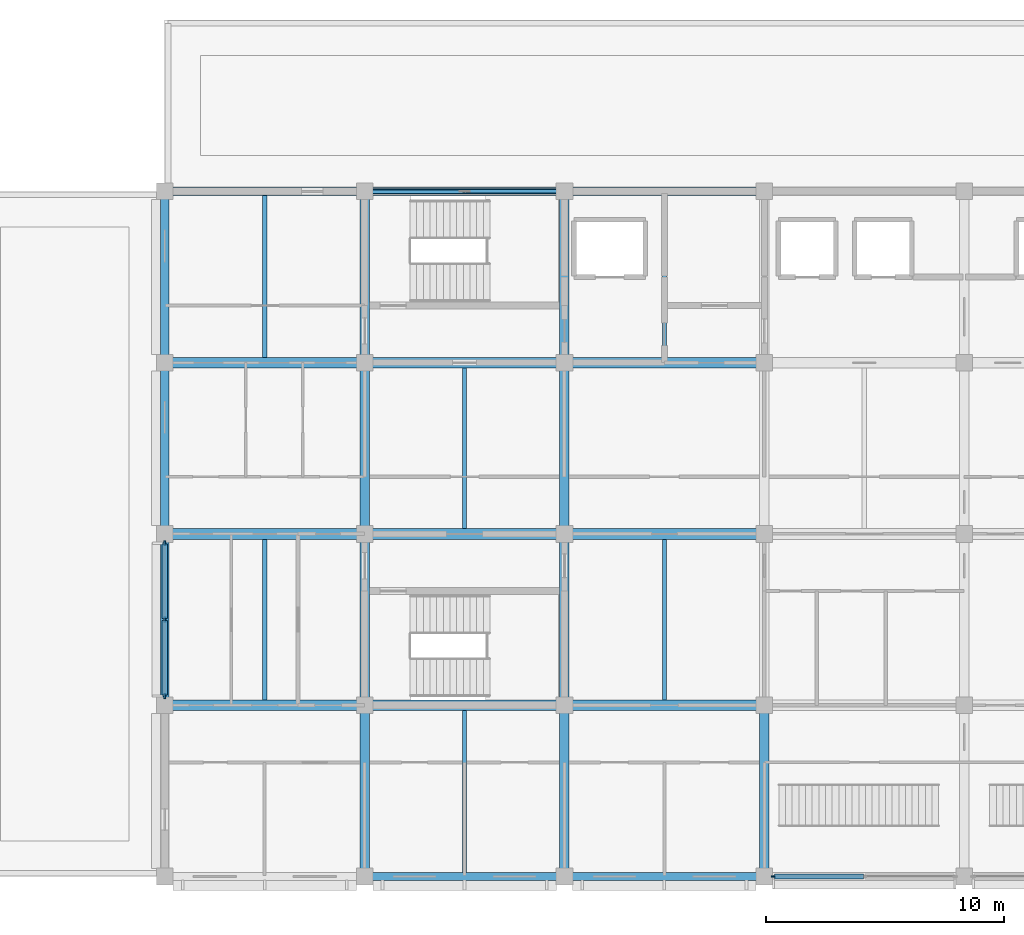
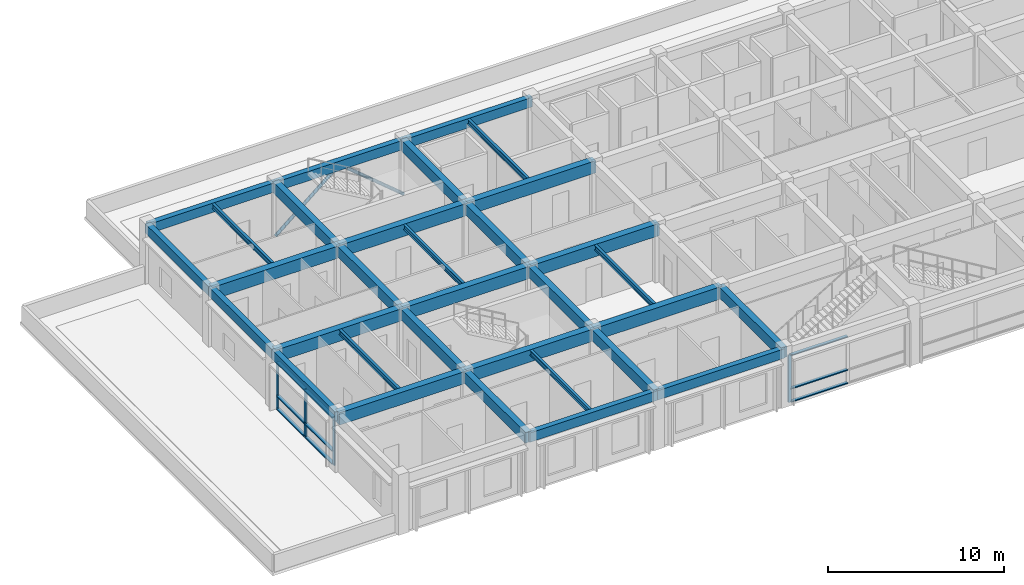
# One storey, part 2 of 19: 32 beams, 15 members, 2 elements without a shape of their own.
"""IFC4 building model written with IfcOpenShell, lengths in metres."""

from ifc_helpers import new_model, si_unit, direction, frame, origin, origin_2d, place, context, subcontext, project, spatial, rectangle, hollow_circle, i_section, extrude, material, layer, layer_set, material_profile, profile_set, type_object, element, aggregate, save


model = new_model("IFC4")

# Units and contexts
model_context = context("Model", 3, precision=1e-05, world=origin(), true_north=direction((0.0, 1.0)))
body_context = subcontext(model_context, "Body", "Model", "MODEL_VIEW")
ifc_project = project(units=[si_unit("LENGTHUNIT", "METRE"), si_unit("AREAUNIT", "SQUARE_METRE"), si_unit("VOLUMEUNIT", "CUBIC_METRE"), si_unit("PLANEANGLEUNIT", "RADIAN"), si_unit("MASSUNIT", "GRAM", prefix="KILO")], contexts=[model_context])

# Site, building, storey
site_placement = place(None, origin())
site = spatial("IfcSite", under=ifc_project, at=site_placement, CompositionType="ELEMENT")
building_placement = place(site_placement, origin())
building = spatial("IfcBuilding", under=site, at=building_placement, Name="Chengyuan Square Courthouse", CompositionType="ELEMENT")
storey_placement = place(building_placement, frame((0.0, 0.0, 47.699951171875)))
storey = spatial("IfcBuildingStorey", under=building, at=storey_placement, Name="L11", CompositionType="ELEMENT", Elevation=47.699951171875)

# Beams
ifc_material_1 = material(Name="Concrete C40", Category="concrete")
ifc_material_profile_1 = material_profile(ifc_material_1, rectangle(XDim=0.449951171875, YDim=0.85009765625, at=origin_2d()), Name="RC-BM-450x850")
ifc_profile_set_1 = profile_set([ifc_material_profile_1], Name="Concrete C40")
beam_type_1 = type_object("IfcBeamType", Name="BM-01", PredefinedType="USERDEFINED", material=ifc_profile_set_1)
beam_1_placement = place(storey_placement, frame((50.39990234375, 86.39990234375, 3.53515625), z_axis=(1.0, 0.0, 0.0), x_axis=(0.0, 1.0, 0.0)))
element("IfcBeam", 1, at=beam_1_placement, inside=storey, type_object=beam_type_1, Name="Girder BM-L11-4166", ObjectType="GIRDER", PredefinedType="USERDEFINED", context=body_context, shape_type="SweptSolid", body=[
    extrude(rectangle(XDim=0.449951171875, YDim=0.85009765625, at=origin_2d()), origin(), (0.0, 0.0, 1.0), 8.400146484375),
])
beam_2_placement = place(storey_placement, frame((58.800048828125, 86.39990234375, 3.53515625), z_axis=(1.0, 0.0, 0.0), x_axis=(0.0, 1.0, 0.0)))
element("IfcBeam", 2, at=beam_2_placement, inside=storey, type_object=beam_type_1, Name="Girder BM-L11-4167", ObjectType="GIRDER", PredefinedType="USERDEFINED", context=body_context, shape_type="SweptSolid", body=[
    extrude(rectangle(XDim=0.449951171875, YDim=0.85009765625, at=origin_2d()), origin(), (0.0, 0.0, 1.0), 8.39990234375),
])
for number, where, z_axis, x_axis, name in (
    (3, (67.199951171875, 86.39990234375, 3.53515625), (1.0, 0.0, 0.0), (0.0, 1.0, 0.0), "Girder BM-L11-4168"),
    (4, (50.39990234375, 93.60009765625, 3.53515625), (1.0, 0.0, 0.0), (0.0, 1.0, 0.0), "Girder BM-L11-4174"),
):
    element("IfcBeam", number, at=place(storey_placement, frame(where, z_axis=z_axis, x_axis=x_axis)), inside=storey, type_object=beam_type_1, Name=name, ObjectType="GIRDER", PredefinedType="USERDEFINED", context=body_context, shape_type="SweptSolid", body=[
        extrude(rectangle(XDim=0.449951171875, YDim=0.85009765625, at=origin_2d()), origin(), (0.0, 0.0, 1.0), 8.400146484375),
    ])
beam_3_placement = place(storey_placement, frame((58.800048828125, 93.60009765625, 3.53515625), z_axis=(1.0, 0.0, 0.0), x_axis=(0.0, 1.0, 0.0)))
element("IfcBeam", 5, at=beam_3_placement, inside=storey, type_object=beam_type_1, Name="Girder BM-L11-4175", ObjectType="GIRDER", PredefinedType="USERDEFINED", context=body_context, shape_type="SweptSolid", body=[
    extrude(rectangle(XDim=0.449951171875, YDim=0.85009765625, at=origin_2d()), origin(), (0.0, 0.0, 1.0), 8.39990234375),
])
for number, where, z_axis, x_axis, name in (
    (6, (67.199951171875, 93.60009765625, 3.53515625), (1.0, 0.0, 0.0), (0.0, 1.0, 0.0), "Girder BM-L11-4176"),
    (7, (50.39990234375, 100.800048828125, 3.53515625), (1.0, 0.0, 0.0), (0.0, 1.0, 0.0), "Girder BM-L11-4182"),
):
    element("IfcBeam", number, at=place(storey_placement, frame(where, z_axis=z_axis, x_axis=x_axis)), inside=storey, type_object=beam_type_1, Name=name, ObjectType="GIRDER", PredefinedType="USERDEFINED", context=body_context, shape_type="SweptSolid", body=[
        extrude(rectangle(XDim=0.449951171875, YDim=0.85009765625, at=origin_2d()), origin(), (0.0, 0.0, 1.0), 8.400146484375),
    ])
beam_4_placement = place(storey_placement, frame((58.800048828125, 100.800048828125, 3.53515625), z_axis=(1.0, 0.0, 0.0), x_axis=(0.0, 1.0, 0.0)))
element("IfcBeam", 8, at=beam_4_placement, inside=storey, type_object=beam_type_1, Name="Girder BM-L11-4183", ObjectType="GIRDER", PredefinedType="USERDEFINED", context=body_context, shape_type="SweptSolid", body=[
    extrude(rectangle(XDim=0.449951171875, YDim=0.85009765625, at=origin_2d()), origin(), (0.0, 0.0, 1.0), 8.39990234375),
])
beam_5_placement = place(storey_placement, frame((67.199951171875, 100.800048828125, 3.53515625), z_axis=(1.0, 0.0, 0.0), x_axis=(0.0, 1.0, 0.0)))
element("IfcBeam", 9, at=beam_5_placement, inside=storey, type_object=beam_type_1, Name="Girder BM-L11-4184", ObjectType="GIRDER", PredefinedType="USERDEFINED", context=body_context, shape_type="SweptSolid", body=[
    extrude(rectangle(XDim=0.449951171875, YDim=0.85009765625, at=origin_2d()), origin(), (0.0, 0.0, 1.0), 8.400146484375),
])
ifc_material_profile_2 = material_profile(ifc_material_1, rectangle(XDim=0.39990234375, YDim=0.75, at=origin_2d()), Name="RC-BM-400x750")
ifc_profile_set_2 = profile_set([ifc_material_profile_2], Name="Concrete C40")
beam_type_2 = type_object("IfcBeamType", Name="BM-02", PredefinedType="USERDEFINED", material=ifc_profile_set_2)
beam_6_placement = place(storey_placement, frame((58.800048828125, 79.199951171875, 3.5849609375), z_axis=(0.0, 1.0, 0.0), x_axis=(-1.0, 0.0, 0.0)))
element("IfcBeam", 10, at=beam_6_placement, inside=storey, type_object=beam_type_2, Name="Girder BM-L11-4202", ObjectType="GIRDER", PredefinedType="USERDEFINED", context=body_context, shape_type="SweptSolid", body=[
    extrude(rectangle(XDim=0.39990234375, YDim=0.75, at=origin_2d()), origin(), (0.0, 0.0, 1.0), 7.199951171875),
])
beam_7_placement = place(storey_placement, frame((58.800048828125, 86.39990234375, 3.5849609375), z_axis=(0.0, 1.0, 0.0), x_axis=(-1.0, 0.0, 0.0)))
element("IfcBeam", 11, at=beam_7_placement, inside=storey, type_object=beam_type_2, Name="Girder BM-L11-4203", ObjectType="GIRDER", PredefinedType="USERDEFINED", context=body_context, shape_type="SweptSolid", body=[
    extrude(rectangle(XDim=0.39990234375, YDim=0.75, at=origin_2d()), origin(), (0.0, 0.0, 1.0), 7.2001953125),
])
for number, where, z_axis, x_axis, name in (
    (12, (58.800048828125, 93.60009765625, 3.5849609375), (0.0, 1.0, 0.0), (-1.0, 0.0, 0.0), "Girder BM-L11-4204"),
    (13, (58.800048828125, 100.800048828125, 3.5849609375), (0.0, 1.0, 0.0), (-1.0, 0.0, 0.0), "Girder BM-L11-4205"),
    (14, (67.199951171875, 79.199951171875, 3.5849609375), (0.0, 1.0, 0.0), (-1.0, 0.0, 0.0), "Girder BM-L11-4206"),
):
    element("IfcBeam", number, at=place(storey_placement, frame(where, z_axis=z_axis, x_axis=x_axis)), inside=storey, type_object=beam_type_2, Name=name, ObjectType="GIRDER", PredefinedType="USERDEFINED", context=body_context, shape_type="SweptSolid", body=[
        extrude(rectangle(XDim=0.39990234375, YDim=0.75, at=origin_2d()), origin(), (0.0, 0.0, 1.0), 7.199951171875),
    ])
beam_8_placement = place(storey_placement, frame((67.199951171875, 86.39990234375, 3.5849609375), z_axis=(0.0, 1.0, 0.0), x_axis=(-1.0, 0.0, 0.0)))
element("IfcBeam", 15, at=beam_8_placement, inside=storey, type_object=beam_type_2, Name="Girder BM-L11-4207", ObjectType="GIRDER", PredefinedType="USERDEFINED", context=body_context, shape_type="SweptSolid", body=[
    extrude(rectangle(XDim=0.39990234375, YDim=0.75, at=origin_2d()), origin(), (0.0, 0.0, 1.0), 7.2001953125),
])
for number, where, z_axis, x_axis, name in (
    (16, (67.199951171875, 93.60009765625, 3.5849609375), (0.0, 1.0, 0.0), (-1.0, 0.0, 0.0), "Girder BM-L11-4208"),
    (17, (67.199951171875, 100.800048828125, 3.5849609375), (0.0, 1.0, 0.0), (-1.0, 0.0, 0.0), "Girder BM-L11-4209"),
    (18, (75.60009765625, 79.199951171875, 3.5849609375), (0.0, 1.0, 0.0), (-1.0, 0.0, 0.0), "Girder BM-L11-4210"),
):
    element("IfcBeam", number, at=place(storey_placement, frame(where, z_axis=z_axis, x_axis=x_axis)), inside=storey, type_object=beam_type_2, Name=name, ObjectType="GIRDER", PredefinedType="USERDEFINED", context=body_context, shape_type="SweptSolid", body=[
        extrude(rectangle(XDim=0.39990234375, YDim=0.75, at=origin_2d()), origin(), (0.0, 0.0, 1.0), 7.199951171875),
    ])
ifc_material_profile_3 = material_profile(ifc_material_1, rectangle(XDim=0.35009765625, YDim=0.64990234375, at=origin_2d()), Name="RC-BM-350x650")
ifc_profile_set_3 = profile_set([ifc_material_profile_3], Name="Concrete C40")
beam_type_3 = type_object("IfcBeamType", Name="BM-03", PredefinedType="SPANDREL", material=ifc_profile_set_3)
beam_9_placement = place(storey_placement, frame((58.800048828125, 79.199951171875, 3.635009765625), z_axis=(1.0, 0.0, 0.0), x_axis=(0.0, 1.0, 0.0)))
element("IfcBeam", 19, at=beam_9_placement, inside=storey, type_object=beam_type_3, Name="Girder BM-L11-4159", PredefinedType="SPANDREL", context=body_context, shape_type="SweptSolid", body=[
    extrude(rectangle(XDim=0.35009765625, YDim=0.64990234375, at=origin_2d()), origin(), (0.0, 0.0, 1.0), 8.39990234375),
])
for number, where, z_axis, x_axis, name in (
    (20, (67.199951171875, 79.199951171875, 3.635009765625), (1.0, 0.0, 0.0), (0.0, 1.0, 0.0), "Girder BM-L11-4160"),
    (21, (50.39990234375, 108.0, 3.635009765625), (1.0, 0.0, 0.0), (0.0, 1.0, 0.0), "Girder BM-L11-4190"),
):
    element("IfcBeam", number, at=place(storey_placement, frame(where, z_axis=z_axis, x_axis=x_axis)), inside=storey, type_object=beam_type_3, Name=name, PredefinedType="SPANDREL", context=body_context, shape_type="SweptSolid", body=[
        extrude(rectangle(XDim=0.35009765625, YDim=0.64990234375, at=origin_2d()), origin(), (0.0, 0.0, 1.0), 8.400146484375),
    ])
beam_10_placement = place(storey_placement, frame((58.800048828125, 108.0, 3.635009765625), z_axis=(1.0, 0.0, 0.0), x_axis=(0.0, 1.0, 0.0)))
element("IfcBeam", 22, at=beam_10_placement, inside=storey, type_object=beam_type_3, Name="Girder BM-L11-4191", PredefinedType="SPANDREL", context=body_context, shape_type="SweptSolid", body=[
    extrude(rectangle(XDim=0.35009765625, YDim=0.64990234375, at=origin_2d()), origin(), (0.0, 0.0, 1.0), 8.39990234375),
])
beam_11_placement = place(storey_placement, frame((67.199951171875, 108.0, 3.635009765625), z_axis=(1.0, 0.0, 0.0), x_axis=(0.0, 1.0, 0.0)))
element("IfcBeam", 23, at=beam_11_placement, inside=storey, type_object=beam_type_3, Name="Girder BM-L11-4192", PredefinedType="SPANDREL", context=body_context, shape_type="SweptSolid", body=[
    extrude(rectangle(XDim=0.35009765625, YDim=0.64990234375, at=origin_2d()), origin(), (0.0, 0.0, 1.0), 8.400146484375),
])
beam_12_placement = place(storey_placement, frame((50.39990234375, 86.39990234375, 3.635009765625), z_axis=(0.0, 1.0, 0.0), x_axis=(-1.0, 0.0, 0.0)))
element("IfcBeam", 24, at=beam_12_placement, inside=storey, type_object=beam_type_3, Name="Girder BM-L11-4199", PredefinedType="SPANDREL", context=body_context, shape_type="SweptSolid", body=[
    extrude(rectangle(XDim=0.35009765625, YDim=0.64990234375, at=origin_2d()), origin(), (0.0, 0.0, 1.0), 7.2001953125),
])
for number, where, z_axis, x_axis, name in (
    (25, (50.39990234375, 93.60009765625, 3.635009765625), (0.0, 1.0, 0.0), (-1.0, 0.0, 0.0), "Girder BM-L11-4200"),
    (26, (50.39990234375, 100.800048828125, 3.635009765625), (0.0, 1.0, 0.0), (-1.0, 0.0, 0.0), "Girder BM-L11-4201"),
):
    element("IfcBeam", number, at=place(storey_placement, frame(where, z_axis=z_axis, x_axis=x_axis)), inside=storey, type_object=beam_type_3, Name=name, PredefinedType="SPANDREL", context=body_context, shape_type="SweptSolid", body=[
        extrude(rectangle(XDim=0.35009765625, YDim=0.64990234375, at=origin_2d()), origin(), (0.0, 0.0, 1.0), 7.199951171875),
    ])
ifc_material_2 = material(Name="Steel Q355B", Category="steel")
ifc_material_profile_4 = material_profile(ifc_material_2, i_section(OverallWidth=0.175048828125, OverallDepth=0.35009765625, WebThickness=0.007080078125, FlangeThickness=0.010986328125, at=origin_2d()), Name="HN 350x175x7x11")
ifc_profile_set_4 = profile_set([ifc_material_profile_4], Name="Steel Q355B")
beam_type_4 = type_object("IfcBeamType", Name="BM-08", PredefinedType="BEAM", material=ifc_profile_set_4)
beam_13_placement = place(storey_placement, frame((54.60009765625, 86.625, 3.78515625), z_axis=(0.0, 1.0, 0.0), x_axis=(-1.0, 0.0, 0.0)))
element("IfcBeam", 27, at=beam_13_placement, inside=storey, type_object=beam_type_4, Name="Secondary Floor Beam SBM-L11-4234", PredefinedType="BEAM", context=body_context, shape_type="SweptSolid", body=[
    extrude(i_section(OverallWidth=0.175048828125, OverallDepth=0.35009765625, WebThickness=0.007080078125, FlangeThickness=0.010986328125, at=origin_2d()), origin(), (0.0, 0.0, 1.0), 6.75),
])
for number, where, z_axis, x_axis, name in (
    (28, (54.60009765625, 101.02490234375, 3.78515625), (0.0, 1.0, 0.0), (-1.0, 0.0, 0.0), "Secondary Floor Beam SBM-L11-4235"),
    (29, (63.0, 79.375, 3.78515625), (0.0, 1.0, 0.0), (-1.0, 0.0, 0.0), "Secondary Floor Beam SBM-L11-4236"),
):
    element("IfcBeam", number, at=place(storey_placement, frame(where, z_axis=z_axis, x_axis=x_axis)), inside=storey, type_object=beam_type_4, Name=name, PredefinedType="BEAM", context=body_context, shape_type="SweptSolid", body=[
        extrude(i_section(OverallWidth=0.175048828125, OverallDepth=0.35009765625, WebThickness=0.007080078125, FlangeThickness=0.010986328125, at=origin_2d()), origin(), (0.0, 0.0, 1.0), 6.800048828125),
    ])
for number, where, z_axis, x_axis, name in (
    (30, (63.0, 93.824951171875, 3.78515625), (0.0, 1.0, 0.0), (-1.0, 0.0, 0.0), "Secondary Floor Beam SBM-L11-4237"),
    (31, (71.39990234375, 86.625, 3.78515625), (0.0, 1.0, 0.0), (-1.0, 0.0, 0.0), "Secondary Floor Beam SBM-L11-4238"),
):
    element("IfcBeam", number, at=place(storey_placement, frame(where, z_axis=z_axis, x_axis=x_axis)), inside=storey, type_object=beam_type_4, Name=name, PredefinedType="BEAM", context=body_context, shape_type="SweptSolid", body=[
        extrude(i_section(OverallWidth=0.175048828125, OverallDepth=0.35009765625, WebThickness=0.007080078125, FlangeThickness=0.010986328125, at=origin_2d()), origin(), (0.0, 0.0, 1.0), 6.75),
    ])
beam_14_placement = place(storey_placement, frame((71.39990234375, 101.02490234375, 3.78515625), z_axis=(0.0, 1.0, 0.0), x_axis=(-1.0, 0.0, 0.0)))
element("IfcBeam", 32, at=beam_14_placement, inside=storey, type_object=beam_type_4, Name="Secondary Floor Beam SBM-L11-4239", PredefinedType="BEAM", context=body_context, shape_type="SweptSolid", body=[
    extrude(i_section(OverallWidth=0.175048828125, OverallDepth=0.35009765625, WebThickness=0.007080078125, FlangeThickness=0.010986328125, at=origin_2d()), origin(), (0.0, 0.0, 1.0), 6.800048828125),
])

# Members
ifc_material_profile_5 = material_profile(ifc_material_2, hollow_circle(Radius=0.109619140625, WallThickness=0.008056640625, at=origin_2d()), Name="CHS 219x8")
ifc_profile_set_5 = profile_set([ifc_material_profile_5], Name="Steel Q355B")
member_type_1 = type_object("IfcMemberType", Name="BR-02", PredefinedType="BRACE", material=ifc_profile_set_5)
for number, where, z_axis, x_axis, name in (
    (33, (58.800048828125, 108.0, 0.10009765625), (0.767317473151, 0.0, 0.641267413329), (0.0, 1.0, 0.0), "Steel Chevron Brace BR-L11-041"),
    (34, (67.199951171875, 108.0, 0.10009765625), (-0.767317473151, 0.0, 0.641267413329), (0.0, -1.0, 0.0), "Steel Chevron Brace BR-L11-042"),
):
    element("IfcMember", number, at=place(storey_placement, frame(where, z_axis=z_axis, x_axis=x_axis)), inside=storey, type_object=member_type_1, Name=name, PredefinedType="BRACE", context=body_context, shape_type="SweptSolid", body=[
        extrude(hollow_circle(Radius=0.109619140625, WallThickness=0.008056640625, at=origin_2d()), origin(), (0.0, 0.0, 1.0), 5.4736328125),
    ])

# Curtain wall, member
ifc_material_3 = material(Name="Unitised Aluminium and Triple Low-E Glass", Category="aluminium")
ifc_layer_1 = layer(ifc_material_3, 0.199951171875)
ifc_layer_set_1 = layer_set([ifc_layer_1], Name="Unitised Aluminium and Triple Low-E Glass")
curtain_wall_type_1 = type_object("IfcCurtainWallType", Name="CW-07", PredefinedType="USERDEFINED", material=ifc_layer_set_1)
curtain_wall_1_placement = place(storey_placement, origin())
curtain_wall_1 = element("IfcCurtainWall", 35, at=curtain_wall_1_placement, inside=storey, type_object=curtain_wall_type_1, Name="Unitised Curtain Wall CW-L11-261", ObjectType="UNITISED CURTAIN WALL", PredefinedType="USERDEFINED")
ifc_material_4 = material(Name="Aluminium 6063-T6 Frame", Category="aluminium")
ifc_material_profile_6 = material_profile(ifc_material_4, rectangle(XDim=0.070068359375, YDim=0.199951171875, at=origin_2d()), Name="CW-MUL-70x200")
ifc_profile_set_6 = profile_set([ifc_material_profile_6], Name="Aluminium 6063-T6 Frame")
member_type_2 = type_object("IfcMemberType", Name="CWM-03", PredefinedType="MULLION", material=ifc_profile_set_6)
member_1_placement = place(storey_placement, frame((75.985107421875, 79.199951171875, 0.0), z_axis=(0.0, 0.0, 1.0), x_axis=(0.0, 1.0, 0.0)))
member_1 = element("IfcMember", 36, at=member_1_placement, type_object=member_type_2, Name="CW-07 mullion 1", PredefinedType="MULLION", context=body_context, shape_type="SweptSolid", body=[
    extrude(rectangle(XDim=0.070068359375, YDim=0.199951171875, at=origin_2d()), origin(), (0.0, 0.0, 1.0), 3.31005859375),
])

# Curtain wall, members
ifc_layer_2 = layer(ifc_material_3, 0.219970703125)
ifc_layer_set_2 = layer_set([ifc_layer_2], Name="Unitised Aluminium and Triple Low-E Glass")
curtain_wall_type_2 = type_object("IfcCurtainWallType", Name="CW-20", PredefinedType="USERDEFINED", material=ifc_layer_set_2)
curtain_wall_2_placement = place(storey_placement, origin())
curtain_wall_2 = element("IfcCurtainWall", 37, at=curtain_wall_2_placement, inside=storey, type_object=curtain_wall_type_2, Name="Unitised Curtain Wall CW-L11-260", ObjectType="UNITISED CURTAIN WALL", PredefinedType="USERDEFINED")
ifc_material_profile_7 = material_profile(ifc_material_4, rectangle(XDim=0.080078125, YDim=0.219970703125, at=origin_2d()), Name="CW-MUL-80x220")
ifc_profile_set_7 = profile_set([ifc_material_profile_7], Name="Aluminium 6063-T6 Frame")
member_type_3 = type_object("IfcMemberType", Name="CWM-04", PredefinedType="MULLION", material=ifc_profile_set_7)
member_2_placement = place(storey_placement, frame((50.39990234375, 86.7900390625, 0.0), z_axis=(0.0, 0.0, 1.0), x_axis=(-1.0, 0.0, 0.0)))
member_2 = element("IfcMember", 38, at=member_2_placement, type_object=member_type_3, Name="CW-20 mullion 1", PredefinedType="MULLION", context=body_context, shape_type="SweptSolid", body=[
    extrude(rectangle(XDim=0.080078125, YDim=0.219970703125, at=origin_2d()), origin(), (0.0, 0.0, 1.0), 3.31005859375),
])
member_3_placement = place(storey_placement, frame((50.39990234375, 90.0, 0.0), z_axis=(0.0, 0.0, 1.0), x_axis=(-1.0, 0.0, 0.0)))
member_3 = element("IfcMember", 39, at=member_3_placement, type_object=member_type_3, Name="CW-20 mullion 2", PredefinedType="MULLION", context=body_context, shape_type="SweptSolid", body=[
    extrude(rectangle(XDim=0.080078125, YDim=0.219970703125, at=origin_2d()), origin(), (0.0, 0.0, 1.0), 3.31005859375),
])
member_4_placement = place(storey_placement, frame((50.39990234375, 93.2099609375, 0.0), z_axis=(0.0, 0.0, 1.0), x_axis=(-1.0, 0.0, 0.0)))
member_4 = element("IfcMember", 40, at=member_4_placement, type_object=member_type_3, Name="CW-20 mullion 3", PredefinedType="MULLION", context=body_context, shape_type="SweptSolid", body=[
    extrude(rectangle(XDim=0.080078125, YDim=0.219970703125, at=origin_2d()), origin(), (0.0, 0.0, 1.0), 3.31005859375),
])

# Member
ifc_material_profile_8 = material_profile(ifc_material_4, rectangle(XDim=0.199951171875, YDim=0.070068359375, at=origin_2d()), Name="CW-TRN-70x160")
ifc_profile_set_8 = profile_set([ifc_material_profile_8], Name="Aluminium 6063-T6 Frame")
member_type_4 = type_object("IfcMemberType", Name="CWT-03", PredefinedType="USERDEFINED", material=ifc_profile_set_8)
member_5_placement = place(storey_placement, frame((76.02001953125, 79.199951171875, 0.03515625), z_axis=(1.0, 0.0, 0.0), x_axis=(0.0, 1.0, 0.0)))
member_5 = element("IfcMember", 41, at=member_5_placement, type_object=member_type_4, Name="CW-07 transom 1.1", ObjectType="TRANSOM", PredefinedType="USERDEFINED", context=body_context, shape_type="SweptSolid", body=[
    extrude(rectangle(XDim=0.199951171875, YDim=0.070068359375, at=origin_2d()), origin(), (0.0, 0.0, 1.0), 3.744873046875),
])

member_6_placement = place(storey_placement, frame((76.02001953125, 79.199951171875, 0.949951171875), z_axis=(1.0, 0.0, 0.0), x_axis=(0.0, 1.0, 0.0)))
member_6 = element("IfcMember", 42, at=member_6_placement, type_object=member_type_4, Name="CW-07 transom 1.2", ObjectType="TRANSOM", PredefinedType="USERDEFINED", context=body_context, shape_type="SweptSolid", body=[
    extrude(rectangle(XDim=0.199951171875, YDim=0.070068359375, at=origin_2d()), origin(), (0.0, 0.0, 1.0), 3.744873046875),
])

member_7_placement = place(storey_placement, frame((76.02001953125, 79.199951171875, 3.275146484375), z_axis=(1.0, 0.0, 0.0), x_axis=(0.0, 1.0, 0.0)))
member_7 = element("IfcMember", 43, at=member_7_placement, type_object=member_type_4, Name="CW-07 transom 1.3", ObjectType="TRANSOM", PredefinedType="USERDEFINED", context=body_context, shape_type="SweptSolid", body=[
    extrude(rectangle(XDim=0.199951171875, YDim=0.070068359375, at=origin_2d()), origin(), (0.0, 0.0, 1.0), 3.744873046875),
])

aggregate(curtain_wall_1, [member_1, member_5, member_6, member_7])

ifc_material_profile_9 = material_profile(ifc_material_4, rectangle(XDim=0.219970703125, YDim=0.080078125, at=origin_2d()), Name="CW-TRN-80x180")
ifc_profile_set_9 = profile_set([ifc_material_profile_9], Name="Aluminium 6063-T6 Frame")
member_type_5 = type_object("IfcMemberType", Name="CWT-04", PredefinedType="USERDEFINED", material=ifc_profile_set_9)
member_8_placement = place(storey_placement, frame((50.39990234375, 86.830078125, 0.0400390625), z_axis=(0.0, 1.0, 0.0), x_axis=(-1.0, 0.0, 0.0)))
member_8 = element("IfcMember", 44, at=member_8_placement, type_object=member_type_5, Name="CW-20 transom 1.1", ObjectType="TRANSOM", PredefinedType="USERDEFINED", context=body_context, shape_type="SweptSolid", body=[
    extrude(rectangle(XDim=0.219970703125, YDim=0.080078125, at=origin_2d()), origin(), (0.0, 0.0, 1.0), 3.1298828125),
])

member_9_placement = place(storey_placement, frame((50.39990234375, 86.830078125, 0.949951171875), z_axis=(0.0, 1.0, 0.0), x_axis=(-1.0, 0.0, 0.0)))
member_9 = element("IfcMember", 45, at=member_9_placement, type_object=member_type_5, Name="CW-20 transom 1.2", ObjectType="TRANSOM", PredefinedType="USERDEFINED", context=body_context, shape_type="SweptSolid", body=[
    extrude(rectangle(XDim=0.219970703125, YDim=0.080078125, at=origin_2d()), origin(), (0.0, 0.0, 1.0), 3.1298828125),
])

member_10_placement = place(storey_placement, frame((50.39990234375, 86.830078125, 3.27001953125), z_axis=(0.0, 1.0, 0.0), x_axis=(-1.0, 0.0, 0.0)))
member_10 = element("IfcMember", 46, at=member_10_placement, type_object=member_type_5, Name="CW-20 transom 1.3", ObjectType="TRANSOM", PredefinedType="USERDEFINED", context=body_context, shape_type="SweptSolid", body=[
    extrude(rectangle(XDim=0.219970703125, YDim=0.080078125, at=origin_2d()), origin(), (0.0, 0.0, 1.0), 3.1298828125),
])

member_11_placement = place(storey_placement, frame((50.39990234375, 90.0400390625, 0.0400390625), z_axis=(0.0, 1.0, 0.0), x_axis=(-1.0, 0.0, 0.0)))
member_11 = element("IfcMember", 47, at=member_11_placement, type_object=member_type_5, Name="CW-20 transom 2.1", ObjectType="TRANSOM", PredefinedType="USERDEFINED", context=body_context, shape_type="SweptSolid", body=[
    extrude(rectangle(XDim=0.219970703125, YDim=0.080078125, at=origin_2d()), origin(), (0.0, 0.0, 1.0), 3.1298828125),
])

member_12_placement = place(storey_placement, frame((50.39990234375, 90.0400390625, 0.949951171875), z_axis=(0.0, 1.0, 0.0), x_axis=(-1.0, 0.0, 0.0)))
member_12 = element("IfcMember", 48, at=member_12_placement, type_object=member_type_5, Name="CW-20 transom 2.2", ObjectType="TRANSOM", PredefinedType="USERDEFINED", context=body_context, shape_type="SweptSolid", body=[
    extrude(rectangle(XDim=0.219970703125, YDim=0.080078125, at=origin_2d()), origin(), (0.0, 0.0, 1.0), 3.1298828125),
])

member_13_placement = place(storey_placement, frame((50.39990234375, 90.0400390625, 3.27001953125), z_axis=(0.0, 1.0, 0.0), x_axis=(-1.0, 0.0, 0.0)))
member_13 = element("IfcMember", 49, at=member_13_placement, type_object=member_type_5, Name="CW-20 transom 2.3", ObjectType="TRANSOM", PredefinedType="USERDEFINED", context=body_context, shape_type="SweptSolid", body=[
    extrude(rectangle(XDim=0.219970703125, YDim=0.080078125, at=origin_2d()), origin(), (0.0, 0.0, 1.0), 3.1298828125),
])

aggregate(curtain_wall_2, [member_2, member_3, member_4, member_8, member_9, member_10, member_11, member_12, member_13])

save(model, "model.ifc")
